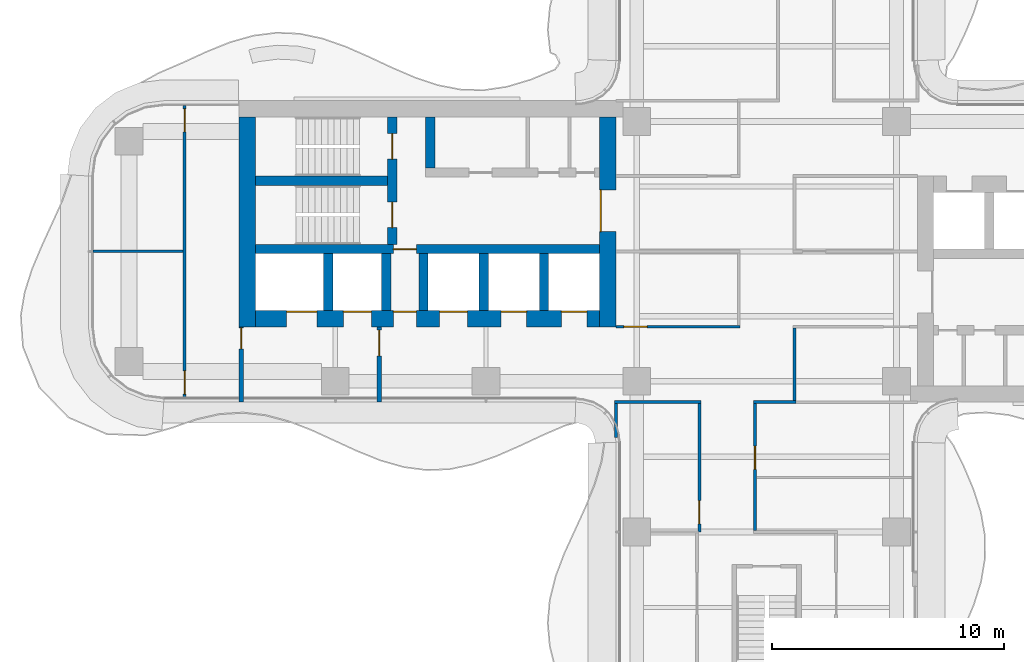
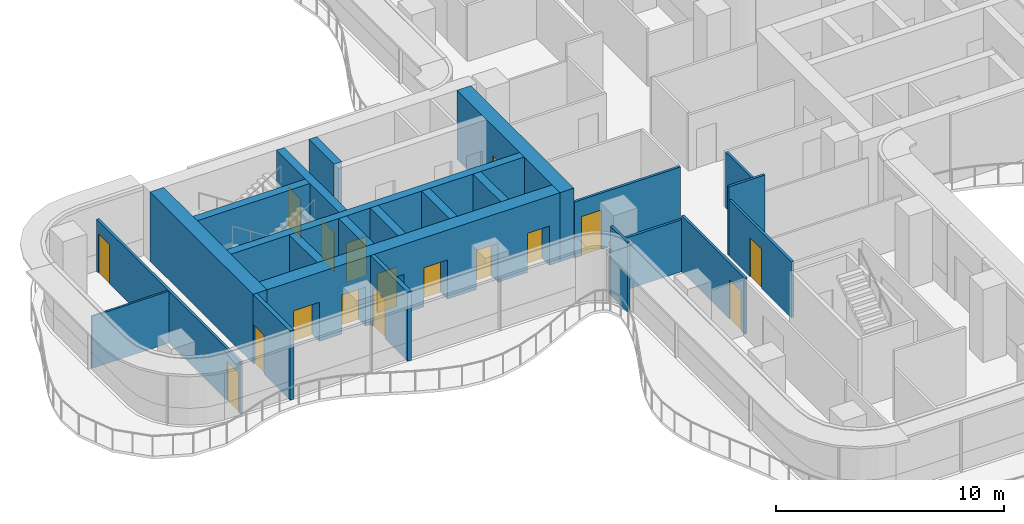
# One storey, part 12 of 17: 23 walls, 17 doors, 17 openings.
"""IFC4 building model written with IfcOpenShell, lengths in metres."""

from ifc_helpers import new_model, si_unit, direction, frame, frame_2d, origin, place, context, subcontext, project, spatial, rectangle, extrude, source, transform, mapped, material, layer, layer_set, type_object, element, fill, save


model = new_model("IFC4")

# Units and contexts
model_context = context("Model", 3, precision=1e-05, world=origin(), true_north=direction((0.0, 1.0)))
body_context = subcontext(model_context, "Body", "Model", "MODEL_VIEW")
ifc_project = project(units=[si_unit("LENGTHUNIT", "METRE"), si_unit("AREAUNIT", "SQUARE_METRE"), si_unit("VOLUMEUNIT", "CUBIC_METRE"), si_unit("PLANEANGLEUNIT", "RADIAN"), si_unit("MASSUNIT", "GRAM", prefix="KILO")], contexts=[model_context])

# Site, building, storey
site_placement = place(None, origin())
site = spatial("IfcSite", under=ifc_project, at=site_placement, CompositionType="ELEMENT")
building_placement = place(site_placement, origin())
building = spatial("IfcBuilding", under=site, at=building_placement, Name="Trellis Farm Tower", CompositionType="ELEMENT")
storey_placement = place(building_placement, frame((0.0, 0.0, 185.39990234375)))
storey = spatial("IfcBuildingStorey", under=building, at=storey_placement, Name="L40", CompositionType="ELEMENT", Elevation=185.39990234375)

# Wall, opening, door
ifc_material_1 = material(Name="Concrete C70/85", Category="concrete")
ifc_layer_1 = layer(ifc_material_1, 0.699951171875)
ifc_layer_set_1 = layer_set([ifc_layer_1], Name="CORE OUTER WALL 700 CONCRETE C70/85")
wall_type_1 = type_object("IfcWallType", Name="CORE OUTER WALL 700 CONCRETE C70/85", PredefinedType="SHEAR", material=ifc_layer_set_1)
shared_shape_1 = source(origin(), body_context, "Body", "SweptSolid", [
    extrude(rectangle(XDim=9.050048828125, YDim=0.699951171875, at=frame_2d((4.52490234375, 0.0))), origin(), (0.0, 0.0, 1.0), 3.7001953125),
])
wall_1_placement = place(storey_placement, frame((-6.85009765625, 5.800048828125, 0.0), z_axis=(0.0, 0.0, 1.0), x_axis=(0.0, -1.0, 0.0)))
wall_1 = element("IfcWall", 1, at=wall_1_placement, inside=storey, type_object=wall_type_1, Name="Core wall", PredefinedType="SHEAR", context=body_context, shape_type="MappedRepresentation", body=[
    mapped(shared_shape_1, transform((0.0, 0.0, 0.0))),
])
shared_shape_2 = source(origin(), body_context, "Body", "SweptSolid", [
    extrude(rectangle(XDim=1.800048828125, YDim=2.10009765625, at=frame_2d((0.89990234375, 1.050048828125))), frame((0.0, 0.360107421875, 0.0), z_axis=(0.0, -1.0, 0.0), x_axis=(1.0, 0.0, 0.0)), (0.0, 0.0, 1.0), 0.72021484375),
])
opening_1_placement = place(wall_1_placement, frame((3.14990234375, 0.0, 0.0)))
opening_1 = element("IfcOpeningElement", 2, at=opening_1_placement, cuts=wall_1, Name="Opening DC87", PredefinedType="OPENING", context=body_context, shape_type="MappedRepresentation", body=[
    mapped(shared_shape_2, transform((0.0, 0.0, 0.0))),
])
ifc_material_2 = material(Name="Steel", Category="steel")
door_type_1 = type_object("IfcDoorType", Name="CORE FIRE DOOR DOUBLE 1800 X 2100", OperationType="DOUBLE_DOOR_SINGLE_SWING", PredefinedType="DOOR", material=ifc_material_2)
shared_shape_3 = source(origin(), body_context, "Body", "SweptSolid", [
    extrude(rectangle(XDim=1.800048828125, YDim=2.10009765625, at=frame_2d((0.89990234375, 1.050048828125))), frame((0.0, -0.27490234375, 0.0), z_axis=(0.0, -1.0, 0.0), x_axis=(1.0, 0.0, 0.0)), (0.0, 0.0, 1.0), 0.050048828125),
])
door_1_placement = place(opening_1_placement, origin())
door_1 = element("IfcDoor", 3, at=door_1_placement, inside=storey, type_object=door_type_1, Name="Core door", OperationType="DOUBLE_DOOR_SINGLE_SWING", OverallHeight=2.10009765625, OverallWidth=1.800048828125, PredefinedType="DOOR", context=body_context, shape_type="MappedRepresentation", body=[
    mapped(shared_shape_3, transform((0.0, 0.0, 0.0))),
])
fill(opening_1, door_1)

# Walls
wall_2_placement = place(storey_placement, frame((-22.39990234375, 5.800048828125, 0.0), z_axis=(0.0, 0.0, 1.0), x_axis=(0.0, -1.0, 0.0)))
element("IfcWall", 4, at=wall_2_placement, inside=storey, type_object=wall_type_1, Name="Core wall", PredefinedType="SHEAR", context=body_context, shape_type="MappedRepresentation", body=[
    mapped(shared_shape_1, transform((0.0, 0.0, 0.0))),
])
ifc_layer_2 = layer(ifc_material_1, 0.39990234375)
ifc_layer_set_2 = layer_set([ifc_layer_2], Name="CORE INNER WALL 400 CONCRETE C70/85")
wall_type_2 = type_object("IfcWallType", Name="CORE INNER WALL 400 CONCRETE C70/85", PredefinedType="SHEAR", material=ifc_layer_set_2)
shared_shape_4 = source(origin(), body_context, "Body", "SweptSolid", [
    extrude(rectangle(XDim=2.449951171875, YDim=0.39990234375, at=frame_2d((1.22509765625, 0.0))), origin(), (0.0, 0.0, 1.0), 3.7001953125),
])
for number, where, z_axis, x_axis, name in (
    (5, (-9.60009765625, -0.10009765625, 0.0), (0.0, 0.0, 1.0), (0.0, -1.0, 0.0), "Core wall"),
    (6, (-12.199951171875, -0.10009765625, 0.0), (0.0, 0.0, 1.0), (0.0, -1.0, 0.0), "Core wall"),
    (7, (-14.800048828125, -0.10009765625, 0.0), (0.0, 0.0, 1.0), (0.0, -1.0, 0.0), "Core wall"),
    (8, (-16.39990234375, -0.10009765625, 0.0), (0.0, 0.0, 1.0), (0.0, -1.0, 0.0), "Core wall"),
    (9, (-18.89990234375, -0.10009765625, 0.0), (0.0, 0.0, 1.0), (0.0, -1.0, 0.0), "Core wall"),
):
    element("IfcWall", number, at=place(storey_placement, frame(where, z_axis=z_axis, x_axis=x_axis)), inside=storey, type_object=wall_type_2, Name=name, PredefinedType="SHEAR", context=body_context, shape_type="MappedRepresentation", body=[
        mapped(shared_shape_4, transform((0.0, 0.0, 0.0))),
    ])

# Wall, opening, door
ifc_material_3 = material(Name="Masonry blockwork", Category="masonry")
ifc_layer_3 = layer(ifc_material_3, 0.199951171875)
ifc_layer_set_3 = layer_set([ifc_layer_3], Name="FIRE LOBBY PARTITION 200 BLOCKWORK")
wall_type_3 = type_object("IfcWallType", Name="FIRE LOBBY PARTITION 200 BLOCKWORK", PredefinedType="PARTITIONING", material=ifc_layer_set_3)
shared_shape_5 = source(origin(), body_context, "Body", "SweptSolid", [
    extrude(rectangle(XDim=3.25, YDim=0.199951171875, at=frame_2d((1.625, 0.0))), origin(), (0.0, 0.0, 1.0), 3.7001953125),
])
wall_3_placement = place(storey_placement, frame((-16.699951171875, -3.25, 0.0), z_axis=(0.0, 0.0, 1.0), x_axis=(0.0, -1.0, 0.0)))
wall_3 = element("IfcWall", 10, at=wall_3_placement, inside=storey, type_object=wall_type_3, Name="Fire-fighting lobby partition", PredefinedType="PARTITIONING", context=body_context, shape_type="MappedRepresentation", body=[
    mapped(shared_shape_5, transform((0.0, 0.0, 0.0))),
])
shared_shape_6 = source(origin(), body_context, "Body", "SweptSolid", [
    extrude(rectangle(XDim=1.10009765625, YDim=2.10009765625, at=frame_2d((0.550048828125, 1.050048828125))), frame((0.0, 0.110107421875, 0.0), z_axis=(0.0, -1.0, 0.0), x_axis=(1.0, 0.0, 0.0)), (0.0, 0.0, 1.0), 0.22021484375),
])
opening_2_placement = place(wall_3_placement, frame((0.14990234375, 0.0, 0.0)))
opening_2 = element("IfcOpeningElement", 11, at=opening_2_placement, cuts=wall_3, Name="Opening DC93", PredefinedType="OPENING", context=body_context, shape_type="MappedRepresentation", body=[
    mapped(shared_shape_6, transform((0.0, 0.0, 0.0))),
])
door_type_2 = type_object("IfcDoorType", Name="CORE FIRE DOOR 1100 X 2100", OperationType="NOTDEFINED", PredefinedType="DOOR", material=ifc_material_2)
shared_shape_7 = source(origin(), body_context, "Body", "SweptSolid", [
    extrude(rectangle(XDim=1.10009765625, YDim=2.10009765625, at=frame_2d((0.550048828125, 1.050048828125))), frame((0.0, 0.02490234375, 0.0), z_axis=(0.0, -1.0, 0.0), x_axis=(1.0, 0.0, 0.0)), (0.0, 0.0, 1.0), 0.050048828125),
])
door_2_placement = place(opening_2_placement, origin())
door_2 = element("IfcDoor", 12, at=door_2_placement, inside=storey, type_object=door_type_2, Name="Core door", OperationType="SINGLE_SWING_RIGHT", OverallHeight=2.10009765625, OverallWidth=1.10009765625, PredefinedType="DOOR", context=body_context, shape_type="MappedRepresentation", body=[
    mapped(shared_shape_7, transform((0.0, 0.0, 0.0))),
])
fill(opening_2, door_2)

wall_4_placement = place(storey_placement, frame((-22.64990234375, -3.25, 0.0), z_axis=(0.0, 0.0, 1.0), x_axis=(0.0, -1.0, 0.0)))
wall_4 = element("IfcWall", 13, at=wall_4_placement, inside=storey, type_object=wall_type_3, Name="Fire-fighting lobby partition", PredefinedType="PARTITIONING", context=body_context, shape_type="MappedRepresentation", body=[
    mapped(shared_shape_5, transform((0.0, 0.0, 0.0))),
])
shared_shape_8 = source(origin(), body_context, "Body", "SweptSolid", [
    extrude(rectangle(XDim=0.89990234375, YDim=2.10009765625, at=frame_2d((0.449951171875, 1.050048828125))), frame((0.0, 0.110107421875, 0.0), z_axis=(0.0, -1.0, 0.0), x_axis=(1.0, 0.0, 0.0)), (0.0, 0.0, 1.0), 0.22021484375),
])
opening_3_placement = place(wall_4_placement, frame((0.050048828125, 0.0, 0.0)))
opening_3 = element("IfcOpeningElement", 14, at=opening_3_placement, cuts=wall_4, Name="Opening DC94", PredefinedType="OPENING", context=body_context, shape_type="MappedRepresentation", body=[
    mapped(shared_shape_8, transform((0.0, 0.0, 0.0))),
])
door_type_3 = type_object("IfcDoorType", Name="CORE FIRE DOOR 900 X 2100", OperationType="NOTDEFINED", PredefinedType="DOOR", material=ifc_material_2)
shared_shape_9 = source(origin(), body_context, "Body", "SweptSolid", [
    extrude(rectangle(XDim=0.89990234375, YDim=2.10009765625, at=frame_2d((0.449951171875, 1.050048828125))), frame((0.0, 0.02490234375, 0.0), z_axis=(0.0, -1.0, 0.0), x_axis=(1.0, 0.0, 0.0)), (0.0, 0.0, 1.0), 0.050048828125),
])
door_3_placement = place(opening_3_placement, origin())
door_3 = element("IfcDoor", 15, at=door_3_placement, inside=storey, type_object=door_type_3, Name="Core door", OperationType="SINGLE_SWING_RIGHT", OverallHeight=2.10009765625, OverallWidth=0.89990234375, PredefinedType="DOOR", context=body_context, shape_type="MappedRepresentation", body=[
    mapped(shared_shape_9, transform((0.0, 0.0, 0.0))),
])
fill(opening_3, door_3)

# Wall, openings, doors
shared_shape_10 = source(origin(), body_context, "Body", "SweptSolid", [
    extrude(rectangle(XDim=14.85009765625, YDim=0.699951171875, at=frame_2d((7.425048828125, 0.0))), origin(), (0.0, 0.0, 1.0), 3.7001953125),
])
wall_5_placement = place(storey_placement, frame((-7.199951171875, -2.89990234375, 0.0), z_axis=(0.0, 0.0, 1.0), x_axis=(-1.0, 0.0, 0.0)))
wall_5 = element("IfcWall", 16, at=wall_5_placement, inside=storey, type_object=wall_type_1, Name="Core wall", PredefinedType="SHEAR", context=body_context, shape_type="MappedRepresentation", body=[
    mapped(shared_shape_10, transform((0.0, 0.0, 0.0))),
])
shared_shape_11 = source(origin(), body_context, "Body", "SweptSolid", [
    extrude(rectangle(XDim=1.10009765625, YDim=2.10009765625, at=frame_2d((0.550048828125, 1.050048828125))), frame((0.0, 0.360107421875, 0.0), z_axis=(0.0, -1.0, 0.0), x_axis=(1.0, 0.0, 0.0)), (0.0, 0.0, 1.0), 0.72021484375),
])
opening_4_placement = place(wall_5_placement, frame((0.550048828125, 0.0, 0.0)))
opening_4 = element("IfcOpeningElement", 17, at=opening_4_placement, cuts=wall_5, Name="Opening LD12", PredefinedType="OPENING", context=body_context, shape_type="MappedRepresentation", body=[
    mapped(shared_shape_11, transform((0.0, 0.0, 0.0))),
])
opening_5_placement = place(wall_5_placement, frame((3.14990234375, 0.0, 0.0)))
opening_5 = element("IfcOpeningElement", 18, at=opening_5_placement, cuts=wall_5, Name="Opening LD13", PredefinedType="OPENING", context=body_context, shape_type="MappedRepresentation", body=[
    mapped(shared_shape_11, transform((0.0, 0.0, 0.0))),
])
shared_shape_12 = source(origin(), body_context, "Body", "SweptSolid", [
    extrude(rectangle(XDim=1.199951171875, YDim=2.10009765625, at=frame_2d((0.60009765625, 1.050048828125))), frame((0.0, 0.360107421875, 0.0), z_axis=(0.0, -1.0, 0.0), x_axis=(1.0, 0.0, 0.0)), (0.0, 0.0, 1.0), 0.72021484375),
])
opening_6_placement = place(wall_5_placement, frame((5.699951171875, 0.0, 0.0)))
opening_6 = element("IfcOpeningElement", 19, at=opening_6_placement, cuts=wall_5, Name="Opening LD14", PredefinedType="OPENING", context=body_context, shape_type="MappedRepresentation", body=[
    mapped(shared_shape_12, transform((0.0, 0.0, 0.0))),
])
shared_shape_13 = source(origin(), body_context, "Body", "SweptSolid", [
    extrude(rectangle(XDim=1.300048828125, YDim=2.10009765625, at=frame_2d((0.64990234375, 1.050048828125))), frame((0.0, 0.360107421875, 0.0), z_axis=(0.0, -1.0, 0.0), x_axis=(1.0, 0.0, 0.0)), (0.0, 0.0, 1.0), 0.72021484375),
])
opening_7_placement = place(wall_5_placement, frame((12.199951171875, 0.0, 0.0)))
opening_7 = element("IfcOpeningElement", 20, at=opening_7_placement, cuts=wall_5, Name="Opening LD15", PredefinedType="OPENING", context=body_context, shape_type="MappedRepresentation", body=[
    mapped(shared_shape_13, transform((0.0, 0.0, 0.0))),
])
opening_8_placement = place(wall_5_placement, frame((9.85009765625, 0.0, 0.0)))
opening_8 = element("IfcOpeningElement", 21, at=opening_8_placement, cuts=wall_5, Name="Opening LD16", PredefinedType="OPENING", context=body_context, shape_type="MappedRepresentation", body=[
    mapped(shared_shape_12, transform((0.0, 0.0, 0.0))),
])
shared_shape_14 = source(origin(), body_context, "Body", "SweptSolid", [
    extrude(rectangle(XDim=1.0, YDim=2.10009765625, at=frame_2d((0.5, 1.050048828125))), frame((0.0, 0.360107421875, 0.0), z_axis=(0.0, -1.0, 0.0), x_axis=(1.0, 0.0, 0.0)), (0.0, 0.0, 1.0), 0.72021484375),
])
opening_9_placement = place(wall_5_placement, frame((7.89990234375, 0.0, 0.0)))
opening_9 = element("IfcOpeningElement", 22, at=opening_9_placement, cuts=wall_5, Name="Opening DC92", PredefinedType="OPENING", context=body_context, shape_type="MappedRepresentation", body=[
    mapped(shared_shape_14, transform((0.0, 0.0, 0.0))),
])
door_type_4 = type_object("IfcDoorType", Name="CORE FIRE DOOR 1000 X 2100", OperationType="NOTDEFINED", PredefinedType="DOOR", material=ifc_material_2)
shared_shape_15 = source(origin(), body_context, "Body", "SweptSolid", [
    extrude(rectangle(XDim=1.0, YDim=2.10009765625, at=frame_2d((0.5, 1.050048828125))), frame((0.0, -0.27490234375, 0.0), z_axis=(0.0, -1.0, 0.0), x_axis=(1.0, 0.0, 0.0)), (0.0, 0.0, 1.0), 0.050048828125),
])
door_4_placement = place(opening_9_placement, origin())
door_4 = element("IfcDoor", 23, at=door_4_placement, inside=storey, type_object=door_type_4, Name="Core door", OperationType="SINGLE_SWING_LEFT", OverallHeight=2.10009765625, OverallWidth=1.0, PredefinedType="DOOR", context=body_context, shape_type="MappedRepresentation", body=[
    mapped(shared_shape_15, transform((0.0, 0.0, 0.0))),
])
fill(opening_9, door_4)
ifc_material_4 = material(Name="Stainless steel", Category="steel")
door_type_5 = type_object("IfcDoorType", Name="LIFT LANDING DOOR 1300 X 2100", OperationType="DOUBLE_DOOR_SLIDING", PredefinedType="DOOR", material=ifc_material_4)
shared_shape_16 = source(origin(), body_context, "Body", "SweptSolid", [
    extrude(rectangle(XDim=1.300048828125, YDim=2.10009765625, at=frame_2d((0.64990234375, 1.050048828125))), frame((0.0, -0.27490234375, 0.0), z_axis=(0.0, -1.0, 0.0), x_axis=(1.0, 0.0, 0.0)), (0.0, 0.0, 1.0), 0.050048828125),
])
door_5_placement = place(opening_7_placement, origin())
door_5 = element("IfcDoor", 24, at=door_5_placement, inside=storey, type_object=door_type_5, Name="Lift landing door", OperationType="DOUBLE_DOOR_SLIDING", OverallHeight=2.10009765625, OverallWidth=1.300048828125, PredefinedType="DOOR", context=body_context, shape_type="MappedRepresentation", body=[
    mapped(shared_shape_16, transform((0.0, 0.0, 0.0))),
])
fill(opening_7, door_5)
door_type_6 = type_object("IfcDoorType", Name="LIFT LANDING DOOR 1200 X 2100", OperationType="DOUBLE_DOOR_SLIDING", PredefinedType="DOOR", material=ifc_material_4)
shared_shape_17 = source(origin(), body_context, "Body", "SweptSolid", [
    extrude(rectangle(XDim=1.199951171875, YDim=2.10009765625, at=frame_2d((0.60009765625, 1.050048828125))), frame((0.0, -0.27490234375, 0.0), z_axis=(0.0, -1.0, 0.0), x_axis=(1.0, 0.0, 0.0)), (0.0, 0.0, 1.0), 0.050048828125),
])
door_6_placement = place(opening_6_placement, origin())
door_6 = element("IfcDoor", 25, at=door_6_placement, inside=storey, type_object=door_type_6, Name="Lift landing door", OperationType="DOUBLE_DOOR_SLIDING", OverallHeight=2.10009765625, OverallWidth=1.199951171875, PredefinedType="DOOR", context=body_context, shape_type="MappedRepresentation", body=[
    mapped(shared_shape_17, transform((0.0, 0.0, 0.0))),
])
fill(opening_6, door_6)
door_7_placement = place(opening_8_placement, origin())
door_7 = element("IfcDoor", 26, at=door_7_placement, inside=storey, type_object=door_type_6, Name="Lift landing door", OperationType="DOUBLE_DOOR_SLIDING", OverallHeight=2.10009765625, OverallWidth=1.199951171875, PredefinedType="DOOR", context=body_context, shape_type="MappedRepresentation", body=[
    mapped(shared_shape_17, transform((0.0, 0.0, 0.0))),
])
fill(opening_8, door_7)
door_type_7 = type_object("IfcDoorType", Name="LIFT LANDING DOOR 1100 X 2100", OperationType="DOUBLE_DOOR_SLIDING", PredefinedType="DOOR", material=ifc_material_4)
shared_shape_18 = source(origin(), body_context, "Body", "SweptSolid", [
    extrude(rectangle(XDim=1.10009765625, YDim=2.10009765625, at=frame_2d((0.550048828125, 1.050048828125))), frame((0.0, -0.27490234375, 0.0), z_axis=(0.0, -1.0, 0.0), x_axis=(1.0, 0.0, 0.0)), (0.0, 0.0, 1.0), 0.050048828125),
])
door_8_placement = place(opening_4_placement, origin())
door_8 = element("IfcDoor", 27, at=door_8_placement, inside=storey, type_object=door_type_7, Name="Lift landing door", OperationType="DOUBLE_DOOR_SLIDING", OverallHeight=2.10009765625, OverallWidth=1.10009765625, PredefinedType="DOOR", context=body_context, shape_type="MappedRepresentation", body=[
    mapped(shared_shape_18, transform((0.0, 0.0, 0.0))),
])
fill(opening_4, door_8)
door_9_placement = place(opening_5_placement, origin())
door_9 = element("IfcDoor", 28, at=door_9_placement, inside=storey, type_object=door_type_7, Name="Lift landing door", OperationType="DOUBLE_DOOR_SLIDING", OverallHeight=2.10009765625, OverallWidth=1.10009765625, PredefinedType="DOOR", context=body_context, shape_type="MappedRepresentation", body=[
    mapped(shared_shape_18, transform((0.0, 0.0, 0.0))),
])
fill(opening_5, door_9)

# Wall, opening, door
shared_shape_19 = source(origin(), body_context, "Body", "SweptSolid", [
    extrude(rectangle(XDim=14.85009765625, YDim=0.39990234375, at=frame_2d((7.425048828125, 0.0))), origin(), (0.0, 0.0, 1.0), 3.7001953125),
])
wall_6_placement = place(storey_placement, frame((-7.199951171875, 0.10009765625, 0.0), z_axis=(0.0, 0.0, 1.0), x_axis=(-1.0, 0.0, 0.0)))
wall_6 = element("IfcWall", 29, at=wall_6_placement, inside=storey, type_object=wall_type_2, Name="Core wall", PredefinedType="SHEAR", context=body_context, shape_type="MappedRepresentation", body=[
    mapped(shared_shape_19, transform((0.0, 0.0, 0.0))),
])
shared_shape_20 = source(origin(), body_context, "Body", "SweptSolid", [
    extrude(rectangle(XDim=1.0, YDim=2.10009765625, at=frame_2d((0.5, 1.050048828125))), frame((0.0, 0.2099609375, 0.0), z_axis=(0.0, -1.0, 0.0), x_axis=(1.0, 0.0, 0.0)), (0.0, 0.0, 1.0), 0.419921875),
])
opening_10_placement = place(wall_6_placement, frame((7.89990234375, 0.0, 0.0)))
opening_10 = element("IfcOpeningElement", 30, at=opening_10_placement, cuts=wall_6, Name="Opening DC91", PredefinedType="OPENING", context=body_context, shape_type="MappedRepresentation", body=[
    mapped(shared_shape_20, transform((0.0, 0.0, 0.0))),
])
shared_shape_21 = source(origin(), body_context, "Body", "SweptSolid", [
    extrude(rectangle(XDim=1.0, YDim=2.10009765625, at=frame_2d((0.5, 1.050048828125))), frame((0.0, 0.02490234375, 0.0), z_axis=(0.0, -1.0, 0.0), x_axis=(1.0, 0.0, 0.0)), (0.0, 0.0, 1.0), 0.050048828125),
])
door_10_placement = place(opening_10_placement, origin())
door_10 = element("IfcDoor", 31, at=door_10_placement, inside=storey, type_object=door_type_4, Name="Core door", OperationType="SINGLE_SWING_RIGHT", OverallHeight=2.10009765625, OverallWidth=1.0, PredefinedType="DOOR", context=body_context, shape_type="MappedRepresentation", body=[
    mapped(shared_shape_21, transform((0.0, 0.0, 0.0))),
])
fill(opening_10, door_10)

# Wall, openings, doors
shared_shape_22 = source(origin(), body_context, "Body", "SweptSolid", [
    extrude(rectangle(XDim=5.5, YDim=0.39990234375, at=frame_2d((2.75, 0.0))), origin(), (0.0, 0.0, 1.0), 3.7001953125),
])
wall_7_placement = place(storey_placement, frame((-16.14990234375, 5.800048828125, 0.0), z_axis=(0.0, 0.0, 1.0), x_axis=(0.0, -1.0, 0.0)))
wall_7 = element("IfcWall", 32, at=wall_7_placement, inside=storey, type_object=wall_type_2, Name="Core wall", PredefinedType="SHEAR", context=body_context, shape_type="MappedRepresentation", body=[
    mapped(shared_shape_22, transform((0.0, 0.0, 0.0))),
])
shared_shape_23 = source(origin(), body_context, "Body", "SweptSolid", [
    extrude(rectangle(XDim=1.10009765625, YDim=2.10009765625, at=frame_2d((0.550048828125, 1.050048828125))), frame((0.0, 0.2099609375, 0.0), z_axis=(0.0, -1.0, 0.0), x_axis=(1.0, 0.0, 0.0)), (0.0, 0.0, 1.0), 0.419921875),
])
opening_11_placement = place(wall_7_placement, frame((0.72509765625, 0.0, 0.0)))
opening_11 = element("IfcOpeningElement", 33, at=opening_11_placement, cuts=wall_7, Name="Opening DC88", PredefinedType="OPENING", context=body_context, shape_type="MappedRepresentation", body=[
    mapped(shared_shape_23, transform((0.0, 0.0, 0.0))),
])
opening_12_placement = place(wall_7_placement, frame((3.675048828125, 0.0, 0.0)))
opening_12 = element("IfcOpeningElement", 34, at=opening_12_placement, cuts=wall_7, Name="Opening DC89", PredefinedType="OPENING", context=body_context, shape_type="MappedRepresentation", body=[
    mapped(shared_shape_23, transform((0.0, 0.0, 0.0))),
])
door_11_placement = place(opening_11_placement, origin())
door_11 = element("IfcDoor", 35, at=door_11_placement, inside=storey, type_object=door_type_2, Name="Core door", OperationType="SINGLE_SWING_RIGHT", OverallHeight=2.10009765625, OverallWidth=1.10009765625, PredefinedType="DOOR", context=body_context, shape_type="MappedRepresentation", body=[
    mapped(shared_shape_7, transform((0.0, 0.0, 0.0))),
])
fill(opening_11, door_11)
door_12_placement = place(opening_12_placement, origin())
door_12 = element("IfcDoor", 36, at=door_12_placement, inside=storey, type_object=door_type_2, Name="Core door", OperationType="SINGLE_SWING_LEFT", OverallHeight=2.10009765625, OverallWidth=1.10009765625, PredefinedType="DOOR", context=body_context, shape_type="MappedRepresentation", body=[
    mapped(shared_shape_7, transform((0.0, 0.0, 0.0))),
])
fill(opening_12, door_12)

# Walls
shared_shape_24 = source(origin(), body_context, "Body", "SweptSolid", [
    extrude(rectangle(XDim=5.699951171875, YDim=0.39990234375, at=frame_2d((2.85009765625, 0.0))), origin(), (0.0, 0.0, 1.0), 3.7001953125),
])
wall_8_placement = place(storey_placement, frame((-16.35009765625, 3.050048828125, 0.0), z_axis=(0.0, 0.0, 1.0), x_axis=(-1.0, 0.0, 0.0)))
element("IfcWall", 37, at=wall_8_placement, inside=storey, type_object=wall_type_2, Name="Core wall", PredefinedType="SHEAR", context=body_context, shape_type="MappedRepresentation", body=[
    mapped(shared_shape_24, transform((0.0, 0.0, 0.0))),
])
shared_shape_25 = source(origin(), body_context, "Body", "SweptSolid", [
    extrude(rectangle(XDim=2.199951171875, YDim=0.39990234375, at=frame_2d((1.10009765625, 0.0))), origin(), (0.0, 0.0, 1.0), 3.7001953125),
])
wall_9_placement = place(storey_placement, frame((-14.5, 5.800048828125, 0.0), z_axis=(0.0, 0.0, 1.0), x_axis=(0.0, -1.0, 0.0)))
element("IfcWall", 38, at=wall_9_placement, inside=storey, type_object=wall_type_2, Name="Core wall", PredefinedType="SHEAR", context=body_context, shape_type="MappedRepresentation", body=[
    mapped(shared_shape_25, transform((0.0, 0.0, 0.0))),
])

# Wall, opening, door
ifc_material_5 = material(Name="Plasterboard on steel studs, mineral wool", Category="steel")
ifc_layer_4 = layer(ifc_material_5, 0.125)
ifc_layer_set_4 = layer_set([ifc_layer_4], Name="PARTITION 125 STUD EI 60")
wall_type_4 = type_object("IfcWallType", Name="PARTITION 125 STUD EI 60", PredefinedType="PARTITIONING", material=ifc_layer_set_4)
shared_shape_26 = source(origin(), body_context, "Body", "SweptSolid", [
    extrude(rectangle(XDim=5.47509765625, YDim=0.125, at=frame_2d((2.737548828125, 0.0))), origin(), (0.0, 0.0, 1.0), 2.99658203125),
])
wall_10_placement = place(storey_placement, frame((-0.5, -6.5625, 0.0), z_axis=(0.0, 0.0, 1.0), x_axis=(0.0, -1.0, 0.0)))
wall_10 = element("IfcWall", 39, at=wall_10_placement, inside=storey, type_object=wall_type_4, Name="Partition PW1", PredefinedType="PARTITIONING", context=body_context, shape_type="MappedRepresentation", body=[
    mapped(shared_shape_26, transform((0.0, 0.0, 0.0))),
])
shared_shape_27 = source(origin(), body_context, "Body", "SweptSolid", [
    extrude(rectangle(XDim=1.0, YDim=2.10009765625, at=frame_2d((0.5, 1.050048828125))), frame((0.0, 0.072509765625, 0.0), z_axis=(0.0, -1.0, 0.0), x_axis=(1.0, 0.0, 0.0)), (0.0, 0.0, 1.0), 0.14501953125),
])
opening_13_placement = place(wall_10_placement, frame((1.83740234375, 0.0, 0.0)))
opening_13 = element("IfcOpeningElement", 40, at=opening_13_placement, cuts=wall_10, Name="Opening D102", PredefinedType="OPENING", context=body_context, shape_type="MappedRepresentation", body=[
    mapped(shared_shape_27, transform((0.0, 0.0, 0.0))),
])
ifc_material_6 = material(Name="Fire-rated timber door leaf in a hollow metal frame", Category="wood")
door_type_8 = type_object("IfcDoorType", Name="DOOR 1000x2100 FD30S", OperationType="NOTDEFINED", PredefinedType="DOOR", material=ifc_material_6)
door_13_placement = place(opening_13_placement, origin())
door_13 = element("IfcDoor", 41, at=door_13_placement, inside=storey, type_object=door_type_8, Name="Door D102", OperationType="SINGLE_SWING_RIGHT", OverallHeight=2.10009765625, OverallWidth=1.0, PredefinedType="DOOR", context=body_context, shape_type="MappedRepresentation", body=[
    mapped(shared_shape_21, transform((0.0, 0.0, 0.0))),
])
fill(opening_13, door_13)

# Wall
shared_shape_28 = source(origin(), body_context, "Body", "SweptSolid", [
    extrude(rectangle(XDim=3.137451171875, YDim=0.125, at=frame_2d((1.56884765625, 0.0))), origin(), (0.0, 0.0, 1.0), 2.99658203125),
])
wall_11_placement = place(storey_placement, frame((1.199951171875, -3.3125, 0.0), z_axis=(0.0, 0.0, 1.0), x_axis=(0.0, -1.0, 0.0)))
element("IfcWall", 42, at=wall_11_placement, inside=storey, type_object=wall_type_4, Name="Partition PW1", PredefinedType="PARTITIONING", context=body_context, shape_type="MappedRepresentation", body=[
    mapped(shared_shape_28, transform((0.0, 0.0, 0.0))),
])

# Wall, opening, door
shared_shape_29 = source(origin(), body_context, "Body", "SweptSolid", [
    extrude(rectangle(XDim=5.53759765625, YDim=0.125, at=frame_2d((2.768798828125, 0.0))), origin(), (0.0, 0.0, 1.0), 2.99658203125),
])
wall_12_placement = place(storey_placement, frame((-2.89990234375, -12.10009765625, 0.0), z_axis=(0.0, 0.0, 1.0), x_axis=(0.0, 1.0, 0.0)))
wall_12 = element("IfcWall", 43, at=wall_12_placement, inside=storey, type_object=wall_type_4, Name="Partition PW1", PredefinedType="PARTITIONING", context=body_context, shape_type="MappedRepresentation", body=[
    mapped(shared_shape_29, transform((0.0, 0.0, 0.0))),
])
opening_14_placement = place(wall_12_placement, frame((0.35009765625, 0.0, 0.0)))
opening_14 = element("IfcOpeningElement", 44, at=opening_14_placement, cuts=wall_12, Name="Opening D101", PredefinedType="OPENING", context=body_context, shape_type="MappedRepresentation", body=[
    mapped(shared_shape_27, transform((0.0, 0.0, 0.0))),
])
door_14_placement = place(opening_14_placement, origin())
door_14 = element("IfcDoor", 45, at=door_14_placement, inside=storey, type_object=door_type_8, Name="Door D101", OperationType="SINGLE_SWING_LEFT", OverallHeight=2.10009765625, OverallWidth=1.0, PredefinedType="DOOR", context=body_context, shape_type="MappedRepresentation", body=[
    mapped(shared_shape_21, transform((0.0, 0.0, 0.0))),
])
fill(opening_14, door_14)

# Wall, openings, doors
shared_shape_30 = source(origin(), body_context, "Body", "SweptSolid", [
    extrude(rectangle(XDim=12.60009765625, YDim=0.125, at=frame_2d((6.300048828125, 0.0))), origin(), (0.0, 0.0, 1.0), 2.780029296875),
])
wall_13_placement = place(storey_placement, frame((-25.10009765625, -6.300048828125, 0.0), z_axis=(0.0, 0.0, 1.0), x_axis=(0.0, 1.0, 0.0)))
wall_13 = element("IfcWall", 46, at=wall_13_placement, inside=storey, type_object=wall_type_4, Name="Partition PW1", PredefinedType="PARTITIONING", context=body_context, shape_type="MappedRepresentation", body=[
    mapped(shared_shape_30, transform((0.0, 0.0, 0.0))),
])
opening_15_placement = place(wall_13_placement, frame((0.14990234375, 0.0, 0.0)))
opening_15 = element("IfcOpeningElement", 47, at=opening_15_placement, cuts=wall_13, Name="Opening D103", PredefinedType="OPENING", context=body_context, shape_type="MappedRepresentation", body=[
    mapped(shared_shape_27, transform((0.0, 0.0, 0.0))),
])
opening_16_placement = place(wall_13_placement, frame((11.449951171875, 0.0, 0.0)))
opening_16 = element("IfcOpeningElement", 48, at=opening_16_placement, cuts=wall_13, Name="Opening D109", PredefinedType="OPENING", context=body_context, shape_type="MappedRepresentation", body=[
    mapped(shared_shape_27, transform((0.0, 0.0, 0.0))),
])
door_15_placement = place(opening_15_placement, origin())
door_15 = element("IfcDoor", 49, at=door_15_placement, inside=storey, type_object=door_type_8, Name="Door D103", OperationType="SINGLE_SWING_LEFT", OverallHeight=2.10009765625, OverallWidth=1.0, PredefinedType="DOOR", context=body_context, shape_type="MappedRepresentation", body=[
    mapped(shared_shape_21, transform((0.0, 0.0, 0.0))),
])
fill(opening_15, door_15)
door_16_placement = place(opening_16_placement, origin())
door_16 = element("IfcDoor", 50, at=door_16_placement, inside=storey, type_object=door_type_8, Name="Door D109", OperationType="SINGLE_SWING_RIGHT", OverallHeight=2.10009765625, OverallWidth=1.0, PredefinedType="DOOR", context=body_context, shape_type="MappedRepresentation", body=[
    mapped(shared_shape_21, transform((0.0, 0.0, 0.0))),
])
fill(opening_16, door_16)

# Wall, opening, door
shared_shape_31 = source(origin(), body_context, "Body", "SweptSolid", [
    extrude(rectangle(XDim=5.362548828125, YDim=0.125, at=frame_2d((2.68115234375, 0.0))), origin(), (0.0, 0.0, 1.0), 2.99658203125),
])
wall_14_placement = place(storey_placement, frame((-1.137451171875, -3.25, 0.0), z_axis=(0.0, 0.0, 1.0), x_axis=(-1.0, 0.0, 0.0)))
wall_14 = element("IfcWall", 51, at=wall_14_placement, inside=storey, type_object=wall_type_4, Name="Partition PW1", PredefinedType="PARTITIONING", context=body_context, shape_type="MappedRepresentation", body=[
    mapped(shared_shape_31, transform((0.0, 0.0, 0.0))),
])
opening_17_placement = place(wall_14_placement, frame((4.012451171875, 0.0, 0.0)))
opening_17 = element("IfcOpeningElement", 52, at=opening_17_placement, cuts=wall_14, Name="Opening D104", PredefinedType="OPENING", context=body_context, shape_type="MappedRepresentation", body=[
    mapped(shared_shape_27, transform((0.0, 0.0, 0.0))),
])
door_17_placement = place(opening_17_placement, origin())
door_17 = element("IfcDoor", 53, at=door_17_placement, inside=storey, type_object=door_type_8, Name="Door D104", OperationType="SINGLE_SWING_RIGHT", OverallHeight=2.10009765625, OverallWidth=1.0, PredefinedType="DOOR", context=body_context, shape_type="MappedRepresentation", body=[
    mapped(shared_shape_21, transform((0.0, 0.0, 0.0))),
])
fill(opening_17, door_17)

# Walls
shared_shape_32 = source(origin(), body_context, "Body", "SweptSolid", [
    extrude(rectangle(XDim=3.72509765625, YDim=0.125, at=frame_2d((1.862548828125, 0.0))), origin(), (0.0, 0.0, 1.0), 2.780029296875),
])
wall_15_placement = place(storey_placement, frame((-2.83740234375, -6.5, 0.0), z_axis=(0.0, 0.0, 1.0), x_axis=(-1.0, 0.0, 0.0)))
element("IfcWall", 54, at=wall_15_placement, inside=storey, type_object=wall_type_4, Name="Partition PW1", PredefinedType="PARTITIONING", context=body_context, shape_type="MappedRepresentation", body=[
    mapped(shared_shape_32, transform((0.0, 0.0, 0.0))),
])
shared_shape_33 = source(origin(), body_context, "Body", "SweptSolid", [
    extrude(rectangle(XDim=1.468994140625, YDim=0.125, at=frame_2d((0.734375, 0.0))), origin(), (0.0, 0.0, 1.0), 3.7001953125),
])
wall_16_placement = place(storey_placement, frame((-6.5, -6.5625, 0.0), z_axis=(0.0, 0.0, 1.0), x_axis=(0.0, -1.0, 0.0)))
element("IfcWall", 55, at=wall_16_placement, inside=storey, type_object=wall_type_4, Name="Partition PW1", PredefinedType="PARTITIONING", context=body_context, shape_type="MappedRepresentation", body=[
    mapped(shared_shape_33, transform((0.0, 0.0, 0.0))),
])
ifc_material_7 = material(Name="Plasterboard on steel studs", Category="steel")
ifc_layer_5 = layer(ifc_material_7, 0.10009765625)
ifc_layer_set_5 = layer_set([ifc_layer_5], Name="PARTITION 100 STUD EI 30")
wall_type_5 = type_object("IfcWallType", Name="PARTITION 100 STUD EI 30", PredefinedType="PARTITIONING", material=ifc_layer_set_5)
shared_shape_34 = source(origin(), body_context, "Body", "SweptSolid", [
    extrude(rectangle(XDim=3.887451171875, YDim=0.10009765625, at=frame_2d((1.94384765625, 0.0))), origin(), (0.0, 0.0, 1.0), 2.780029296875),
])
wall_17_placement = place(storey_placement, frame((-29.050048828125, 0.0, 0.0), z_axis=(0.0, 0.0, 1.0), x_axis=(1.0, 0.0, 0.0)))
element("IfcWall", 56, at=wall_17_placement, inside=storey, type_object=wall_type_5, Name="Partition PW2", PredefinedType="PARTITIONING", context=body_context, shape_type="MappedRepresentation", body=[
    mapped(shared_shape_34, transform((0.0, 0.0, 0.0))),
])
shared_shape_35 = source(origin(), body_context, "Body", "SweptSolid", [
    extrude(rectangle(XDim=1.824951171875, YDim=0.125, at=frame_2d((0.91259765625, 0.0))), origin(), (0.0, 0.0, 1.0), 3.7001953125),
])
wall_18_placement = place(storey_placement, frame((1.262451171875, -6.5, 0.0), z_axis=(0.0, 0.0, 1.0), x_axis=(-1.0, 0.0, 0.0)))
element("IfcWall", 57, at=wall_18_placement, inside=storey, type_object=wall_type_4, Name="Partition PW1", PredefinedType="PARTITIONING", context=body_context, shape_type="MappedRepresentation", body=[
    mapped(shared_shape_35, transform((0.0, 0.0, 0.0))),
])

save(model, "model.ifc")
